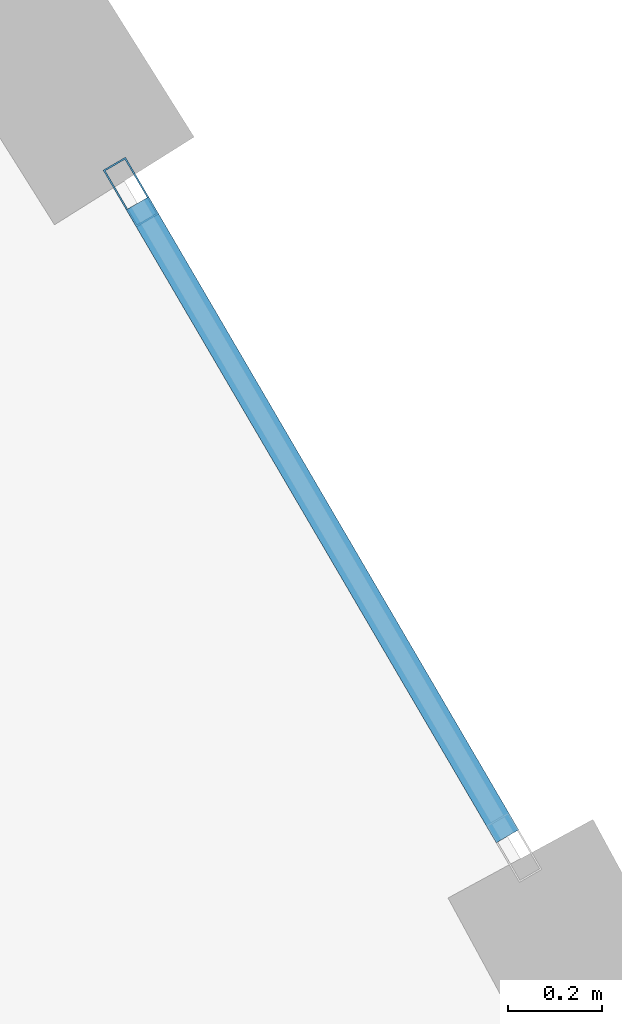
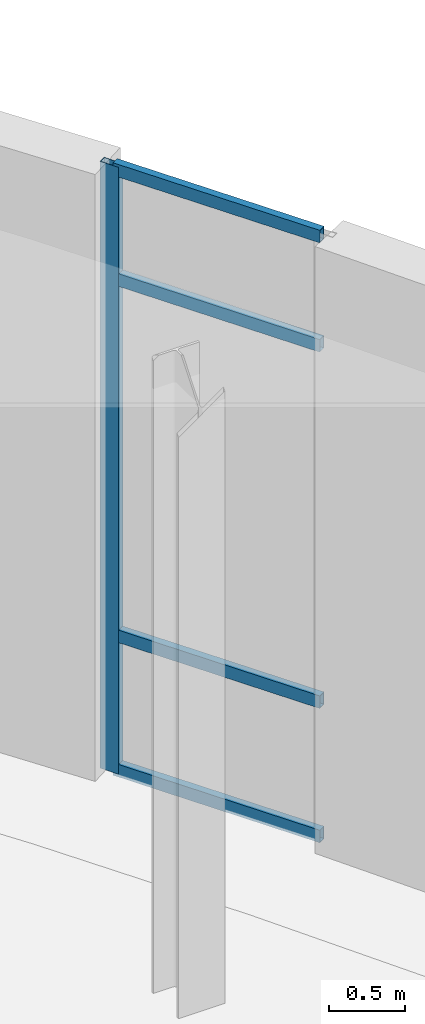
# One storey, part 54 of 104: 5 members, 1 element without a shape of its own.
"""IFC4 building model written with IfcOpenShell, lengths in metres."""

import ifcopenshell
import ifcopenshell.guid

model = None  # the IFC model being written
_history = None  # IfcOwnerHistory: only IFC2X3 demands one
_inside = {}  # id of a spatial element -> (the spatial element, [elements in it])
_under = {}  # id of a project, library or spatial element -> (it, [spatial elements below it])
_declared = {}  # id of a project -> (the project, [libraries it declares])
_typed = {}  # id of a type object -> (the type object, [elements of that type])
_made_of = {}  # id of a material, layer set ... -> (it, [elements and type objects made of it])


def new_model(schema):
    """Start an empty IFC model of exactly this schema.

    Asked for "IFC4X3", IfcOpenShell would pick the latest addendum, in which some entities
    have other attributes; the version numbers below select the first issue.
    IFC2X3 requires an IfcOwnerHistory on every rooted entity: one is made here for all.
    """
    global model, _history
    if schema == "IFC4X3":
        model = ifcopenshell.file(schema_version=(4, 3, 0, 0))
    else:
        model = ifcopenshell.file(schema=schema)
    _inside.clear()
    _under.clear()
    _declared.clear()
    _typed.clear()
    _made_of.clear()
    _history = None
    if model.schema == "IFC2X3":
        org = make("IfcOrganization", Name="unknown")
        user = make(
            "IfcPersonAndOrganization",
            ThePerson=make("IfcPerson", FamilyName="unknown"),
            TheOrganization=org,
        )
        app = make(
            "IfcApplication",
            ApplicationDeveloper=org,
            Version="unknown",
            ApplicationFullName="unknown",
            ApplicationIdentifier="unknown",
        )
        _history = make(
            "IfcOwnerHistory",
            OwningUser=user,
            OwningApplication=app,
            ChangeAction="ADDED",
            CreationDate=0,
        )
    return model


def make(cls, **values):
    """One entity of the class cls with the attributes given. An attribute that is None is left unset."""
    return model.create_entity(
        cls, **{name: value for name, value in values.items() if value is not None}
    )


def rooted(cls, **values):
    """An entity with a GlobalId (a new one), such as an element, a storey or a relation."""
    return make(cls, GlobalId=ifcopenshell.guid.new(), OwnerHistory=_history, **values)


def si_unit(unit_type, name, prefix=None):
    """IfcSIUnit, for example si_unit("LENGTHUNIT", "METRE", prefix="MILLI")."""
    return make("IfcSIUnit", UnitType=unit_type, Prefix=prefix, Name=name)


def assignment(units):
    """IfcUnitAssignment: the units of a project."""
    return None if units is None else make("IfcUnitAssignment", Units=units)


def point(xyz):
    """IfcCartesianPoint."""
    return None if xyz is None else make("IfcCartesianPoint", Coordinates=xyz)


def direction(xyz):
    """IfcDirection."""
    return None if xyz is None else make("IfcDirection", DirectionRatios=xyz)


def frame(location, z_axis=None, x_axis=None):
    """IfcAxis2Placement3D, a coordinate frame: its origin and axes. An axis left out is left unset."""
    return make(
        "IfcAxis2Placement3D",
        Location=point(location),
        Axis=direction(z_axis),
        RefDirection=direction(x_axis),
    )


def frame_2d(location, x_axis=None):
    """IfcAxis2Placement2D, a coordinate frame in the plane: its origin and x axis."""
    return make(
        "IfcAxis2Placement2D", Location=point(location), RefDirection=direction(x_axis)
    )


def origin():
    """The frame at (0, 0, 0) with its axes left unset."""
    return frame((0.0, 0.0, 0.0))


def origin_2d():
    """The frame at (0, 0) in the plane with its x axis left unset."""
    return frame_2d((0.0, 0.0))


def place(relative_to, where):
    """IfcLocalPlacement: puts the frame where relative to a parent placement (None: the world)."""
    return make(
        "IfcLocalPlacement", PlacementRelTo=relative_to, RelativePlacement=where
    )


def context(
    kind, dimensions, precision=None, world=None, true_north=None, identifier=None
):
    """IfcGeometricRepresentationContext, for example the 3D "Model" context."""
    return make(
        "IfcGeometricRepresentationContext",
        ContextIdentifier=identifier,
        ContextType=kind,
        CoordinateSpaceDimension=dimensions,
        Precision=precision,
        WorldCoordinateSystem=world,
        TrueNorth=true_north,
    )


def subcontext(parent, identifier, kind, view, scale=None):
    """IfcGeometricRepresentationSubContext, for example "Body" below "Model"."""
    return make(
        "IfcGeometricRepresentationSubContext",
        ContextIdentifier=identifier,
        ContextType=kind,
        ParentContext=parent,
        TargetScale=scale,
        TargetView=view,
    )


def project(units=None, contexts=None):
    """IfcProject with its units and contexts."""
    return rooted(
        "IfcProject",
        Name="project",
        RepresentationContexts=contexts,
        UnitsInContext=assignment(units),
    )


def spatial(cls, under=None, at=None, **own):
    """A site, building, storey or space (cls), placed at a placement, below another one or the project."""
    s = rooted(cls, ObjectPlacement=at, **own)
    if under is not None:
        _under.setdefault(under.id(), (under, []))[1].append(s)
    return s


def profile(cls, at=None, kind="AREA", **sizes):
    """A parametric profile (cls). Its sizes go by their IFC names, for example OverallWidth=200.0."""
    return make(cls, ProfileType=kind, Position=at, **sizes)


def hollow_rectangle(**sizes):
    """IfcRectangleHollowProfileDef."""
    return profile("IfcRectangleHollowProfileDef", **sizes)


def extrude(swept, where, along, depth):
    """IfcExtrudedAreaSolid: the profile swept, set in the frame where, extruded along a direction by depth."""
    return make(
        "IfcExtrudedAreaSolid",
        SweptArea=swept,
        Position=where,
        ExtrudedDirection=direction(along),
        Depth=depth,
    )


def shape(context_of_items, identifier, shape_type, items):
    """IfcShapeRepresentation: the items that make up one representation, for example the "Body"."""
    return make(
        "IfcShapeRepresentation",
        ContextOfItems=context_of_items,
        RepresentationIdentifier=identifier,
        RepresentationType=shape_type,
        Items=items,
    )


def material(Name=None, Category=None):
    """IfcMaterial."""
    return make("IfcMaterial", Name=Name, Category=Category)


def layer(
    of_material, thickness, ventilated=None, Name=None, Category=None, Priority=None
):
    """IfcMaterialLayer: one layer of a wall or slab, of a material (None: an air gap)."""
    return make(
        "IfcMaterialLayer",
        Material=of_material,
        LayerThickness=thickness,
        IsVentilated=ventilated,
        Name=Name,
        Category=Category,
        Priority=Priority,
    )


def layer_set(layers, Name=None):
    """IfcMaterialLayerSet."""
    return make("IfcMaterialLayerSet", MaterialLayers=layers, LayerSetName=Name)


def material_profile(
    of_material, cross_section, Name=None, Category=None, Priority=None
):
    """IfcMaterialProfile: a cross section and its material."""
    return make(
        "IfcMaterialProfile",
        Name=Name,
        Material=of_material,
        Profile=cross_section,
        Priority=Priority,
        Category=Category,
    )


def profile_set(profiles, Name=None, composite=None):
    """IfcMaterialProfileSet."""
    return make(
        "IfcMaterialProfileSet",
        Name=Name,
        MaterialProfiles=profiles,
        CompositeProfile=composite,
    )


def made_of(thing, what):
    """Note that an element or type object is made of a material, layer set ...; save() writes the relation."""
    if what is not None:
        _made_of.setdefault(what.id(), (what, []))[1].append(thing)
    return thing


def type_object(cls, material=None, **own):
    """A type object (cls), such as IfcWallType, which elements share."""
    return made_of(rooted(cls, **own), material)


def element(
    cls,
    number,
    at=None,
    inside=None,
    cuts=None,
    type_object=None,
    material=None,
    context=None,
    identifier="Body",
    shape_type=None,
    held_by="IfcProductDefinitionShape",
    body=None,
    shapes=None,
    **own,
):
    """One element of the class cls, such as IfcWall. Its Tag is "e" and its number.

    at: its placement. inside: the storey or other place that contains it. cuts: it is an
    opening in that element (IfcRelVoidsElement). A single representation is given by context,
    identifier, shape_type and body (its items); several are given by shapes. held_by: the class
    of the entity that holds the representations. save() writes the other relations.
    """
    e = rooted(cls, Tag="e%d" % number, ObjectPlacement=at, **own)
    if body is not None:
        shapes = [shape(context, identifier, shape_type, body)]
    if shapes is not None:
        e.Representation = make(held_by, Representations=shapes)
    if inside is not None:
        _inside.setdefault(inside.id(), (inside, []))[1].append(e)
    if cuts is not None:
        rooted(
            "IfcRelVoidsElement", RelatingBuildingElement=cuts, RelatedOpeningElement=e
        )
    if type_object is not None:
        _typed.setdefault(type_object.id(), (type_object, []))[1].append(e)
    return made_of(e, material)


def aggregate(whole, parts):
    """IfcRelAggregates: a whole, such as a stair, and the parts it consists of."""
    return rooted("IfcRelAggregates", RelatingObject=whole, RelatedObjects=parts)


def save(model, path):
    """Write the relations noted so far, then the file.

    IfcRelAggregates (storeys below a building ...), IfcRelContainedInSpatialStructure (elements
    in a storey), IfcRelDefinesByType, IfcRelAssociatesMaterial and IfcRelDeclares: one each for
    every whole, place, type object, material and project.
    """
    for whole, parts in _under.values():
        aggregate(whole, parts)
    for where, things in _inside.values():
        rooted(
            "IfcRelContainedInSpatialStructure",
            RelatedElements=things,
            RelatingStructure=where,
        )
    for kind, things in _typed.values():
        rooted("IfcRelDefinesByType", RelatedObjects=things, RelatingType=kind)
    for what, things in _made_of.values():
        rooted("IfcRelAssociatesMaterial", RelatedObjects=things, RelatingMaterial=what)
    for by, libraries in _declared.values():
        rooted("IfcRelDeclares", RelatingContext=by, RelatedDefinitions=libraries)
    model.write(path)


model = new_model("IFC4")

# Units and contexts
model_context = context("Model", 3, precision=1e-05, world=origin(), true_north=direction((0.0, 1.0)))
body_context = subcontext(model_context, "Body", "Model", "MODEL_VIEW")
ifc_project = project(units=[si_unit("LENGTHUNIT", "METRE"), si_unit("AREAUNIT", "SQUARE_METRE"), si_unit("VOLUMEUNIT", "CUBIC_METRE"), si_unit("PLANEANGLEUNIT", "RADIAN"), si_unit("MASSUNIT", "GRAM", prefix="KILO"), si_unit("THERMODYNAMICTEMPERATUREUNIT", "KELVIN")], contexts=[model_context])

# Site, building, storey
site_placement = place(None, origin())
site = spatial("IfcSite", under=ifc_project, at=site_placement, CompositionType="ELEMENT")
building_placement = place(site_placement, origin())
building = spatial("IfcBuilding", under=site, at=building_placement, Name="Lustrewick Department Store", CompositionType="ELEMENT")
storey_placement = place(building_placement, frame((0.0, 0.0, 11.39990234375)))
storey = spatial("IfcBuildingStorey", under=building, at=storey_placement, Name="L03", CompositionType="ELEMENT", Elevation=11.39990234375)

# Curtain wall, members
ifc_material = material(Name="Thermally broken aluminium 6063-T5", Category="aluminium")
ifc_layer = layer(ifc_material, 0.139892578125, Name="Thermally broken aluminium 6063-T5")
ifc_layer_set = layer_set([ifc_layer], Name="Thermally broken aluminium 6063-T5")
curtain_wall_type = type_object("IfcCurtainWallType", Name="CW15", PredefinedType="NOTDEFINED", material=ifc_layer_set)
curtain_wall_placement = place(storey_placement, origin())
curtain_wall = element("IfcCurtainWall", 1, at=curtain_wall_placement, inside=storey, type_object=curtain_wall_type, Name="L03 V4 Curtain Wall CW15", PredefinedType="NOTDEFINED")
ifc_material_profile_1 = material_profile(ifc_material, hollow_rectangle(XDim=0.054931640625, YDim=0.139892578125, WallThickness=0.00341796875, at=origin_2d()), Name="ALU-M 55x140x3.5")
ifc_profile_set_1 = profile_set([ifc_material_profile_1], Name="Thermally broken aluminium 6063-T5")
member_type_1 = type_object("IfcMemberType", Name="CW15-M1", PredefinedType="MULLION", material=ifc_profile_set_1)
member_1_placement = place(storey_placement, frame((160.481201171875, 86.53271484375, 0.0), z_axis=(0.0, 0.0, 1.0), x_axis=(-0.86332815827, -0.504642934299, 0.0)))
member_1 = element("IfcMember", 2, at=member_1_placement, type_object=member_type_1, Name="CW15 mullion 2", PredefinedType="MULLION", context=body_context, shape_type="SweptSolid", body=[
    extrude(hollow_rectangle(XDim=0.054931640625, YDim=0.139892578125, WallThickness=0.00341796875, at=origin_2d()), origin(), (0.0, 0.0, 1.0), 4.84521484375),
])
ifc_material_profile_2 = material_profile(ifc_material, hollow_rectangle(XDim=0.054931640625, YDim=0.10009765625, WallThickness=0.0029296875, at=origin_2d()), Name="ALU-T 55x100x3")
ifc_profile_set_2 = profile_set([ifc_material_profile_2], Name="Thermally broken aluminium 6063-T5")
member_type_2 = type_object("IfcMemberType", Name="CW15-T1", PredefinedType="USERDEFINED", material=ifc_profile_set_2)
member_2_placement = place(storey_placement, frame((161.28076171875, 85.164794921875, 0.027587890625), z_axis=(-0.504592306421, 0.863357749893, 0.0), x_axis=(-0.863357749893, -0.504592306421, 0.0)))
member_2 = element("IfcMember", 3, at=member_2_placement, type_object=member_type_2, Name="CW15 transom 1.1", ObjectType="TRANSOM", PredefinedType="USERDEFINED", context=body_context, shape_type="SweptSolid", body=[
    extrude(hollow_rectangle(XDim=0.054931640625, YDim=0.10009765625, WallThickness=0.0029296875, at=origin_2d()), origin(), (0.0, 0.0, 1.0), 1.556884765625),
])
member_3_placement = place(storey_placement, frame((161.28076171875, 85.164794921875, 1.10009765625), z_axis=(-0.504592306421, 0.863357749893, 0.0), x_axis=(-0.863357749893, -0.504592306421, 0.0)))
member_3 = element("IfcMember", 4, at=member_3_placement, type_object=member_type_2, Name="CW15 transom 1.2", ObjectType="TRANSOM", PredefinedType="USERDEFINED", context=body_context, shape_type="SweptSolid", body=[
    extrude(hollow_rectangle(XDim=0.054931640625, YDim=0.10009765625, WallThickness=0.0029296875, at=origin_2d()), origin(), (0.0, 0.0, 1.0), 1.556884765625),
])
member_4_placement = place(storey_placement, frame((161.28076171875, 85.164794921875, 3.945068359375), z_axis=(-0.504592306421, 0.863357749893, 0.0), x_axis=(-0.863357749893, -0.504592306421, 0.0)))
member_4 = element("IfcMember", 5, at=member_4_placement, type_object=member_type_2, Name="CW15 transom 1.3", ObjectType="TRANSOM", PredefinedType="USERDEFINED", context=body_context, shape_type="SweptSolid", body=[
    extrude(hollow_rectangle(XDim=0.054931640625, YDim=0.10009765625, WallThickness=0.0029296875, at=origin_2d()), origin(), (0.0, 0.0, 1.0), 1.556884765625),
])
member_5_placement = place(storey_placement, frame((161.28076171875, 85.164794921875, 4.817626953125), z_axis=(-0.504592306421, 0.863357749893, 0.0), x_axis=(-0.863357749893, -0.504592306421, 0.0)))
member_5 = element("IfcMember", 6, at=member_5_placement, type_object=member_type_2, Name="CW15 transom 1.4", ObjectType="TRANSOM", PredefinedType="USERDEFINED", context=body_context, shape_type="SweptSolid", body=[
    extrude(hollow_rectangle(XDim=0.054931640625, YDim=0.10009765625, WallThickness=0.0029296875, at=origin_2d()), origin(), (0.0, 0.0, 1.0), 1.556884765625),
])
aggregate(curtain_wall, [member_1, member_2, member_3, member_4, member_5])

save(model, "model.ifc")
